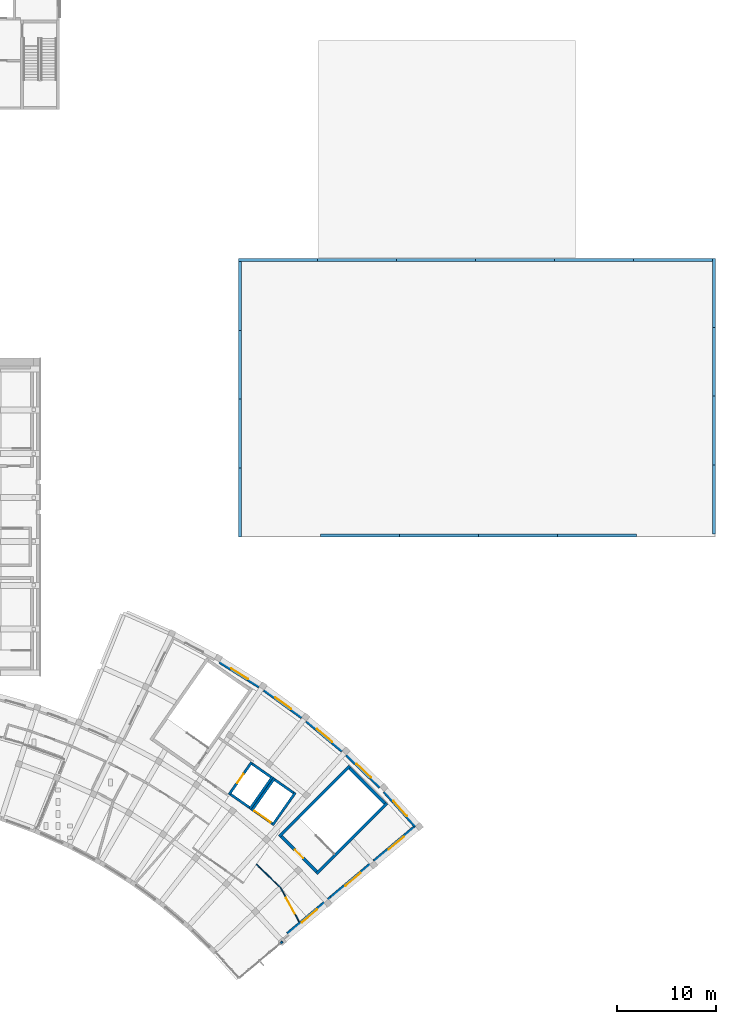
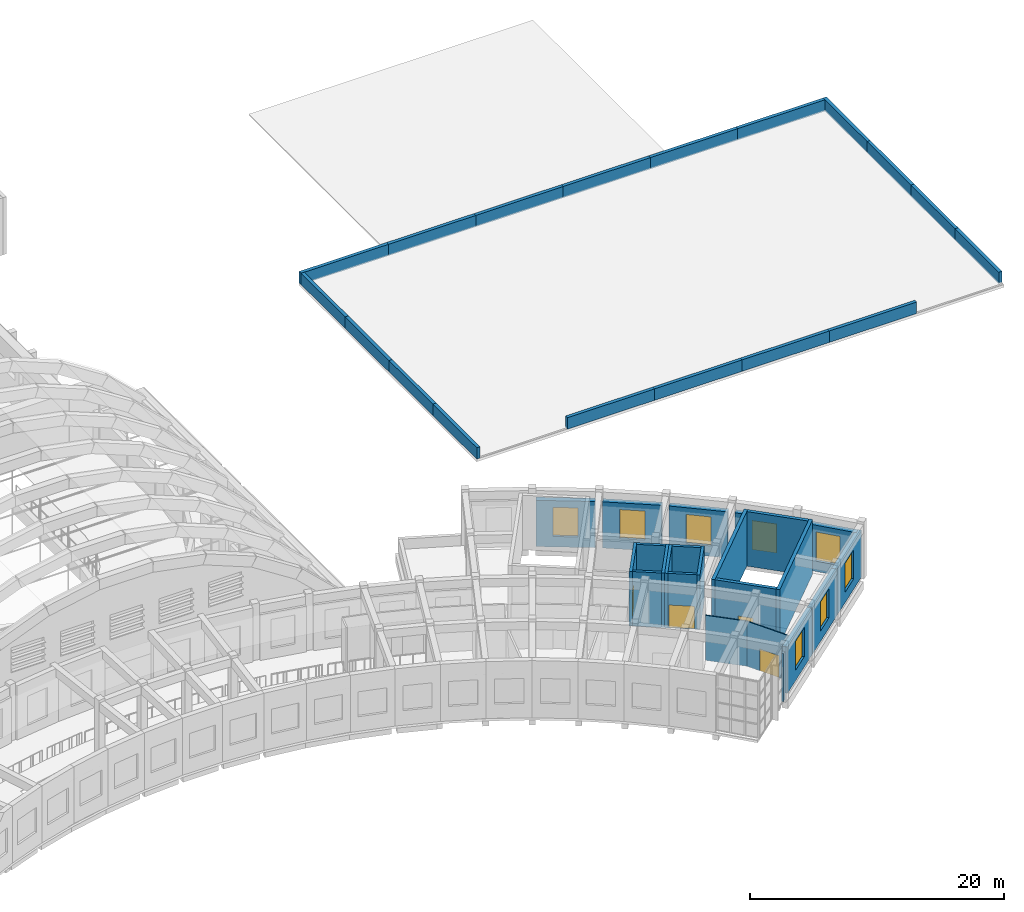
# One storey, part 69 of 94: 41 walls, 8 windows, 4 doors, 12 openings.
"""IFC4 building model written with IfcOpenShell, lengths in metres."""

from ifc_helpers import new_model, si_unit, direction, frame, frame_2d, origin, place, context, subcontext, project, spatial, rectangle, extrude, material, layer, layer_set, type_object, element, fill, save


model = new_model("IFC4")

# Units and contexts
model_context = context("Model", 3, precision=1e-05, world=origin(), true_north=direction((0.0, 1.0)))
body_context = subcontext(model_context, "Body", "Model", "MODEL_VIEW")
ifc_project = project(units=[si_unit("LENGTHUNIT", "METRE"), si_unit("AREAUNIT", "SQUARE_METRE"), si_unit("VOLUMEUNIT", "CUBIC_METRE"), si_unit("PLANEANGLEUNIT", "RADIAN"), si_unit("MASSUNIT", "GRAM", prefix="KILO")], contexts=[model_context])

# Site, building, storey
site_placement = place(None, origin())
site = spatial("IfcSite", under=ifc_project, at=site_placement, CompositionType="ELEMENT")
building_placement = place(site_placement, origin())
building = spatial("IfcBuilding", under=site, at=building_placement, Name="Lunette Opera House", CompositionType="ELEMENT")
storey_placement = place(building_placement, frame((0.0, 0.0, 22.5)))
storey = spatial("IfcBuildingStorey", under=building, at=storey_placement, Name="L04", CompositionType="ELEMENT", Elevation=22.5)

# Wall, opening, window
ifc_material_1 = material(Name="Clinker brick", Category="masonry")
ifc_layer_1 = layer(ifc_material_1, 0.449951171875)
ifc_layer_set_1 = layer_set([ifc_layer_1], Name="Clinker brick")
wall_type_1 = type_object("IfcWallType", Name="ARM END WALL 450", PredefinedType="SOLIDWALL", material=ifc_layer_set_1)
wall_1_placement = place(storey_placement, frame((140.97509765625, 38.032958984375, 0.0), z_axis=(0.0, 0.0, 1.0), x_axis=(0.766065006368, 0.642763102565, 0.0)))
wall_1 = element("IfcWall", 1, at=wall_1_placement, inside=storey, type_object=wall_type_1, Name="Arm End Wall 450 EN-E1 L04", PredefinedType="SOLIDWALL", context=body_context, shape_type="SweptSolid", body=[
    extrude(rectangle(XDim=5.700439453125, YDim=0.449951171875, at=frame_2d((2.85009765625, 0.0))), origin(), (0.0, 0.0, 1.0), 4.449951171875),
])
opening_1_placement = place(wall_1_placement, frame((1.85009765625, 0.0, 1.0)))
opening_1 = element("IfcOpeningElement", 2, at=opening_1_placement, cuts=wall_1, Name="Opening FC-N2104", PredefinedType="OPENING", context=body_context, shape_type="SweptSolid", body=[
    extrude(rectangle(XDim=2.0, YDim=2.800048828125, at=frame_2d((1.0, 1.39990234375))), frame((0.0, 0.237060546875, 0.0), z_axis=(0.0, -1.0, 0.0), x_axis=(1.0, 0.0, 0.0)), (0.0, 0.0, 1.0), 0.473876953125),
])
ifc_material_2 = material(Name="Aluminium", Category="aluminium")
window_type = type_object("IfcWindowType", Name="ARM WINDOW 2000 X 2800", PartitioningType="DOUBLE_PANEL_VERTICAL", PredefinedType="WINDOW", material=ifc_material_2)
window_1_placement = place(opening_1_placement, origin())
window_1 = element("IfcWindow", 3, at=window_1_placement, inside=storey, type_object=window_type, Name="Arm Window 2000 X 2800 EN-E1 L04", OverallHeight=2.800048828125, OverallWidth=2.0, PartitioningType="DOUBLE_PANEL_VERTICAL", PredefinedType="WINDOW", context=body_context, shape_type="SweptSolid", body=[
    extrude(rectangle(XDim=2.0, YDim=2.800048828125, at=frame_2d((1.0, 1.39990234375))), frame((0.0, 0.030029296875, 0.0), z_axis=(0.0, -1.0, 0.0), x_axis=(1.0, 0.0, 0.0)), (0.0, 0.0, 1.0), 0.06005859375),
])
fill(opening_1, window_1)

wall_2_placement = place(storey_placement, frame((145.342041015625, 41.697021484375, 0.0), z_axis=(0.0, 0.0, 1.0), x_axis=(0.766078586631, 0.642746916838, 0.0)))
wall_2 = element("IfcWall", 4, at=wall_2_placement, inside=storey, type_object=wall_type_1, Name="Arm End Wall 450 EN-E2 L04", PredefinedType="SOLIDWALL", context=body_context, shape_type="SweptSolid", body=[
    extrude(rectangle(XDim=5.69921875, YDim=0.449951171875, at=frame_2d((2.849609375, 0.0))), origin(), (0.0, 0.0, 1.0), 4.449951171875),
])
opening_2_placement = place(wall_2_placement, frame((1.85009765625, 0.0, 1.0)))
opening_2 = element("IfcOpeningElement", 5, at=opening_2_placement, cuts=wall_2, Name="Opening FC-N2105", PredefinedType="OPENING", context=body_context, shape_type="SweptSolid", body=[
    extrude(rectangle(XDim=2.0, YDim=2.800048828125, at=frame_2d((1.0, 1.39990234375))), frame((0.0, 0.237060546875, 0.0), z_axis=(0.0, -1.0, 0.0), x_axis=(1.0, 0.0, 0.0)), (0.0, 0.0, 1.0), 0.473876953125),
])
window_2_placement = place(opening_2_placement, origin())
window_2 = element("IfcWindow", 6, at=window_2_placement, inside=storey, type_object=window_type, Name="Arm Window 2000 X 2800 EN-E2 L04", OverallHeight=2.800048828125, OverallWidth=2.0, PartitioningType="DOUBLE_PANEL_VERTICAL", PredefinedType="WINDOW", context=body_context, shape_type="SweptSolid", body=[
    extrude(rectangle(XDim=2.0, YDim=2.800048828125, at=frame_2d((1.0, 1.39990234375))), frame((0.0, 0.030029296875, 0.0), z_axis=(0.0, -1.0, 0.0), x_axis=(1.0, 0.0, 0.0)), (0.0, 0.0, 1.0), 0.06005859375),
])
fill(opening_2, window_2)

wall_3_placement = place(storey_placement, frame((149.7080078125, 45.360107421875, 0.0), z_axis=(0.0, 0.0, 1.0), x_axis=(0.766086094987, 0.642737967657, 0.0)))
wall_3 = element("IfcWall", 7, at=wall_3_placement, inside=storey, type_object=wall_type_1, Name="Arm End Wall 450 EN-E3 L04", PredefinedType="SOLIDWALL", context=body_context, shape_type="SweptSolid", body=[
    extrude(rectangle(XDim=5.700439453125, YDim=0.449951171875, at=frame_2d((2.85009765625, 0.0))), origin(), (0.0, 0.0, 1.0), 4.449951171875),
])
opening_3_placement = place(wall_3_placement, frame((1.85009765625, 0.0, 1.0)))
opening_3 = element("IfcOpeningElement", 8, at=opening_3_placement, cuts=wall_3, Name="Opening FC-N2106", PredefinedType="OPENING", context=body_context, shape_type="SweptSolid", body=[
    extrude(rectangle(XDim=2.0, YDim=2.800048828125, at=frame_2d((1.0, 1.39990234375))), frame((0.0, 0.237060546875, 0.0), z_axis=(0.0, -1.0, 0.0), x_axis=(1.0, 0.0, 0.0)), (0.0, 0.0, 1.0), 0.473876953125),
])
window_3_placement = place(opening_3_placement, origin())
window_3 = element("IfcWindow", 9, at=window_3_placement, inside=storey, type_object=window_type, Name="Arm Window 2000 X 2800 EN-E3 L04", OverallHeight=2.800048828125, OverallWidth=2.0, PartitioningType="DOUBLE_PANEL_VERTICAL", PredefinedType="WINDOW", context=body_context, shape_type="SweptSolid", body=[
    extrude(rectangle(XDim=2.0, YDim=2.800048828125, at=frame_2d((1.0, 1.39990234375))), frame((0.0, 0.030029296875, 0.0), z_axis=(0.0, -1.0, 0.0), x_axis=(1.0, 0.0, 0.0)), (0.0, 0.0, 1.0), 0.06005859375),
])
fill(opening_3, window_3)

ifc_material_3 = material(Name="Clinker brick", Category="masonry")
ifc_layer_2 = layer(ifc_material_3, 0.449951171875)
ifc_layer_set_2 = layer_set([ifc_layer_2], Name="Clinker brick")
wall_type_2 = type_object("IfcWallType", Name="ARM RAIN SCREEN WALL 450", PredefinedType="SOLIDWALL", material=ifc_layer_set_2)
wall_4_placement = place(storey_placement, frame((134.14208984375, 65.464111328125, 0.0), z_axis=(0.0, 0.0, 1.0), x_axis=(0.84803632456, -0.529938102259, 0.0)))
wall_4 = element("IfcWall", 10, at=wall_4_placement, inside=storey, type_object=wall_type_2, Name="Arm Rain Screen Wall 450 BW-CE04 L04", PredefinedType="SOLIDWALL", context=body_context, shape_type="SweptSolid", body=[
    extrude(rectangle(XDim=4.689453125, YDim=0.449951171875, at=frame_2d((2.3447265625, 0.0))), origin(), (0.0, 0.0, 1.0), 4.449951171875),
])
opening_4_placement = place(wall_4_placement, frame((1.343994140625, 0.0, 1.0)))
opening_4 = element("IfcOpeningElement", 11, at=opening_4_placement, cuts=wall_4, Name="Opening FC-N2157", PredefinedType="OPENING", context=body_context, shape_type="SweptSolid", body=[
    extrude(rectangle(XDim=2.0, YDim=2.800048828125, at=frame_2d((1.0, 1.39990234375))), frame((0.0, 0.237060546875, 0.0), z_axis=(0.0, -1.0, 0.0), x_axis=(1.0, 0.0, 0.0)), (0.0, 0.0, 1.0), 0.473876953125),
])
window_4_placement = place(opening_4_placement, origin())
window_4 = element("IfcWindow", 12, at=window_4_placement, inside=storey, type_object=window_type, Name="Arm Window 2000 X 2800 BW-CE04 L04", OverallHeight=2.800048828125, OverallWidth=2.0, PartitioningType="DOUBLE_PANEL_VERTICAL", PredefinedType="WINDOW", context=body_context, shape_type="SweptSolid", body=[
    extrude(rectangle(XDim=2.0, YDim=2.800048828125, at=frame_2d((1.0, 1.39990234375))), frame((0.0, 0.030029296875, 0.0), z_axis=(0.0, -1.0, 0.0), x_axis=(1.0, 0.0, 0.0)), (0.0, 0.0, 1.0), 0.06005859375),
])
fill(opening_4, window_4)

wall_5_placement = place(storey_placement, frame((138.615966796875, 62.64404296875, 0.0), z_axis=(0.0, 0.0, 1.0), x_axis=(0.808981453193, -0.587834167423, 0.0)))
wall_5 = element("IfcWall", 13, at=wall_5_placement, inside=storey, type_object=wall_type_2, Name="Arm Rain Screen Wall 450 BW-CE05 L04", PredefinedType="SOLIDWALL", context=body_context, shape_type="SweptSolid", body=[
    extrude(rectangle(XDim=4.6884765625, YDim=0.449951171875, at=frame_2d((2.34423828125, 0.0))), origin(), (0.0, 0.0, 1.0), 4.449951171875),
])
opening_5_placement = place(wall_5_placement, frame((1.343994140625, 0.0, 1.0)))
opening_5 = element("IfcOpeningElement", 14, at=opening_5_placement, cuts=wall_5, Name="Opening FC-N2162", PredefinedType="OPENING", context=body_context, shape_type="SweptSolid", body=[
    extrude(rectangle(XDim=2.0, YDim=2.800048828125, at=frame_2d((1.0, 1.39990234375))), frame((0.0, 0.237060546875, 0.0), z_axis=(0.0, -1.0, 0.0), x_axis=(1.0, 0.0, 0.0)), (0.0, 0.0, 1.0), 0.473876953125),
])
window_5_placement = place(opening_5_placement, origin())
window_5 = element("IfcWindow", 15, at=window_5_placement, inside=storey, type_object=window_type, Name="Arm Window 2000 X 2800 BW-CE05 L04", OverallHeight=2.800048828125, OverallWidth=2.0, PartitioningType="DOUBLE_PANEL_VERTICAL", PredefinedType="WINDOW", context=body_context, shape_type="SweptSolid", body=[
    extrude(rectangle(XDim=2.0, YDim=2.800048828125, at=frame_2d((1.0, 1.39990234375))), frame((0.0, 0.030029296875, 0.0), z_axis=(0.0, -1.0, 0.0), x_axis=(1.0, 0.0, 0.0)), (0.0, 0.0, 1.0), 0.06005859375),
])
fill(opening_5, window_5)

wall_6_placement = place(storey_placement, frame((142.882080078125, 59.51904296875, 0.0), z_axis=(0.0, 0.0, 1.0), x_axis=(0.765928460401, -0.642925807187, 0.0)))
wall_6 = element("IfcWall", 16, at=wall_6_placement, inside=storey, type_object=wall_type_2, Name="Arm Rain Screen Wall 450 BW-CE06 L04", PredefinedType="SOLIDWALL", context=body_context, shape_type="SweptSolid", body=[
    extrude(rectangle(XDim=4.688232421875, YDim=0.449951171875, at=frame_2d((2.34423828125, 0.0))), origin(), (0.0, 0.0, 1.0), 4.449951171875),
])
opening_6_placement = place(wall_6_placement, frame((1.343994140625, 0.0, 1.0)))
opening_6 = element("IfcOpeningElement", 17, at=opening_6_placement, cuts=wall_6, Name="Opening FC-N2167", PredefinedType="OPENING", context=body_context, shape_type="SweptSolid", body=[
    extrude(rectangle(XDim=2.0, YDim=2.800048828125, at=frame_2d((1.0, 1.39990234375))), frame((0.0, 0.237060546875, 0.0), z_axis=(0.0, -1.0, 0.0), x_axis=(1.0, 0.0, 0.0)), (0.0, 0.0, 1.0), 0.473876953125),
])
window_6_placement = place(opening_6_placement, origin())
window_6 = element("IfcWindow", 18, at=window_6_placement, inside=storey, type_object=window_type, Name="Arm Window 2000 X 2800 BW-CE06 L04", OverallHeight=2.800048828125, OverallWidth=2.0, PartitioningType="DOUBLE_PANEL_VERTICAL", PredefinedType="WINDOW", context=body_context, shape_type="SweptSolid", body=[
    extrude(rectangle(XDim=2.0, YDim=2.800048828125, at=frame_2d((1.0, 1.39990234375))), frame((0.0, 0.030029296875, 0.0), z_axis=(0.0, -1.0, 0.0), x_axis=(1.0, 0.0, 0.0)), (0.0, 0.0, 1.0), 0.06005859375),
])
fill(opening_6, window_6)

wall_7_placement = place(storey_placement, frame((146.9189453125, 56.10400390625, 0.0), z_axis=(0.0, 0.0, 1.0), x_axis=(0.719260611584, -0.694740363462, 0.0)))
wall_7 = element("IfcWall", 19, at=wall_7_placement, inside=storey, type_object=wall_type_2, Name="Arm Rain Screen Wall 450 BW-CE07 L04", PredefinedType="SOLIDWALL", context=body_context, shape_type="SweptSolid", body=[
    extrude(rectangle(XDim=4.689697265625, YDim=0.449951171875, at=frame_2d((2.3447265625, 0.0))), origin(), (0.0, 0.0, 1.0), 4.449951171875),
])
opening_7_placement = place(wall_7_placement, frame((1.344970703125, 0.0, 1.0)))
opening_7 = element("IfcOpeningElement", 20, at=opening_7_placement, cuts=wall_7, Name="Opening FC-N2171", PredefinedType="OPENING", context=body_context, shape_type="SweptSolid", body=[
    extrude(rectangle(XDim=2.0, YDim=2.800048828125, at=frame_2d((1.0, 1.39990234375))), frame((0.0, 0.237060546875, 0.0), z_axis=(0.0, -1.0, 0.0), x_axis=(1.0, 0.0, 0.0)), (0.0, 0.0, 1.0), 0.473876953125),
])
window_7_placement = place(opening_7_placement, origin())
window_7 = element("IfcWindow", 21, at=window_7_placement, inside=storey, type_object=window_type, Name="Arm Window 2000 X 2800 BW-CE07 L04", OverallHeight=2.800048828125, OverallWidth=2.0, PartitioningType="DOUBLE_PANEL_VERTICAL", PredefinedType="WINDOW", context=body_context, shape_type="SweptSolid", body=[
    extrude(rectangle(XDim=2.0, YDim=2.800048828125, at=frame_2d((1.0, 1.39990234375))), frame((0.0, 0.030029296875, 0.0), z_axis=(0.0, -1.0, 0.0), x_axis=(1.0, 0.0, 0.0)), (0.0, 0.0, 1.0), 0.06005859375),
])
fill(opening_7, window_7)

wall_8_placement = place(storey_placement, frame((150.708984375, 52.4150390625, 0.0), z_axis=(0.0, 0.0, 1.0), x_axis=(0.669007879878, -0.74325531055, 0.0)))
wall_8 = element("IfcWall", 22, at=wall_8_placement, inside=storey, type_object=wall_type_2, Name="Arm Rain Screen Wall 450 BW-CE08 L04", PredefinedType="SOLIDWALL", context=body_context, shape_type="SweptSolid", body=[
    extrude(rectangle(XDim=4.68896484375, YDim=0.449951171875, at=frame_2d((2.344482421875, 0.0))), origin(), (0.0, 0.0, 1.0), 4.449951171875),
])
opening_8_placement = place(wall_8_placement, frame((1.344970703125, 0.0, 1.0)))
opening_8 = element("IfcOpeningElement", 23, at=opening_8_placement, cuts=wall_8, Name="Opening FC-N2176", PredefinedType="OPENING", context=body_context, shape_type="SweptSolid", body=[
    extrude(rectangle(XDim=2.0, YDim=2.800048828125, at=frame_2d((1.0, 1.39990234375))), frame((0.0, 0.237060546875, 0.0), z_axis=(0.0, -1.0, 0.0), x_axis=(1.0, 0.0, 0.0)), (0.0, 0.0, 1.0), 0.473876953125),
])
window_8_placement = place(opening_8_placement, origin())
window_8 = element("IfcWindow", 24, at=window_8_placement, inside=storey, type_object=window_type, Name="Arm Window 2000 X 2800 BW-CE08 L04", OverallHeight=2.800048828125, OverallWidth=2.0, PartitioningType="DOUBLE_PANEL_VERTICAL", PredefinedType="WINDOW", context=body_context, shape_type="SweptSolid", body=[
    extrude(rectangle(XDim=2.0, YDim=2.800048828125, at=frame_2d((1.0, 1.39990234375))), frame((0.0, 0.030029296875, 0.0), z_axis=(0.0, -1.0, 0.0), x_axis=(1.0, 0.0, 0.0)), (0.0, 0.0, 1.0), 0.06005859375),
])
fill(opening_8, window_8)

# Walls
ifc_material_4 = material(Name="Insulated aluminium sandwich panel", Category="aluminium")
ifc_layer_3 = layer(ifc_material_4, 0.179931640625)
ifc_layer_set_3 = layer_set([ifc_layer_3], Name="Insulated aluminium sandwich panel")
wall_type_3 = type_object("IfcWallType", Name="CURTAIN WALL INFILL 180", PredefinedType="SOLIDWALL", material=ifc_layer_set_3)
wall_9_placement = place(storey_placement, frame((140.199951171875, 37.089111328125, 0.0), z_axis=(0.0, 0.0, 1.0), x_axis=(0.767105498424, 0.641520969485, 0.0)))
element("IfcWall", 25, at=wall_9_placement, inside=storey, type_object=wall_type_3, Name="Curtain Wall Infill 180 IN12 L04", PredefinedType="SOLIDWALL", context=body_context, shape_type="SweptSolid", body=[
    extrude(rectangle(XDim=0.30517578125, YDim=0.179931640625, at=frame_2d((0.152587890625, 0.0))), origin(), (0.0, 0.0, 1.0), 4.64990234375),
])
ifc_material_5 = material(Name="Concrete C35/45", Category="concrete")
ifc_layer_4 = layer(ifc_material_5, 0.25)
ifc_layer_set_4 = layer_set([ifc_layer_4], Name="Concrete C35/45")
wall_type_4 = type_object("IfcWallType", Name="RC LIFT SHAFT WALL 250", PredefinedType="SOLIDWALL", material=ifc_layer_set_4)
wall_10_placement = place(storey_placement, frame((135.22509765625, 52.097900390625, 0.0), z_axis=(0.0, 0.0, 1.0), x_axis=(0.819366508838, -0.573270027295, 0.0)))
element("IfcWall", 26, at=wall_10_placement, inside=storey, type_object=wall_type_4, Name="FL1 shaft wall 1", PredefinedType="SOLIDWALL", context=body_context, shape_type="SweptSolid", body=[
    extrude(rectangle(XDim=2.300537109375, YDim=0.25, at=frame_2d((1.150390625, 0.0))), origin(), (0.0, 0.0, 1.0), 5.25),
])
wall_11_placement = place(storey_placement, frame((137.14111328125, 50.60498046875, 0.0), z_axis=(0.0, 0.0, 1.0), x_axis=(0.573572956461, 0.819154480923, 0.0)))
element("IfcWall", 27, at=wall_11_placement, inside=storey, type_object=wall_type_4, Name="FL1 shaft wall 2", PredefinedType="SOLIDWALL", context=body_context, shape_type="SweptSolid", body=[
    extrude(rectangle(XDim=3.99951171875, YDim=0.25, at=frame_2d((1.999755859375, 0.0))), origin(), (0.0, 0.0, 1.0), 5.25),
])
wall_12_placement = place(storey_placement, frame((139.260986328125, 53.85009765625, 0.0), z_axis=(0.0, 0.0, 1.0), x_axis=(-0.819226933165, 0.573469469089, 0.0)))
element("IfcWall", 28, at=wall_12_placement, inside=storey, type_object=wall_type_4, Name="FL1 shaft wall 3", PredefinedType="SOLIDWALL", context=body_context, shape_type="SweptSolid", body=[
    extrude(rectangle(XDim=2.2998046875, YDim=0.25, at=frame_2d((1.14990234375, 0.0))), origin(), (0.0, 0.0, 1.0), 5.25),
])

# Wall, opening, door
wall_13_placement = place(storey_placement, frame((137.345947265625, 55.343017578125, 0.0), z_axis=(0.0, 0.0, 1.0), x_axis=(-0.573736768582, -0.819039755065, 0.0)))
wall_13 = element("IfcWall", 29, at=wall_13_placement, inside=storey, type_object=wall_type_4, Name="FL1 shaft wall 4", PredefinedType="SOLIDWALL", context=body_context, shape_type="SweptSolid", body=[
    extrude(rectangle(XDim=4.0, YDim=0.25, at=frame_2d((2.0, 0.0))), origin(), (0.0, 0.0, 1.0), 5.25),
])
opening_9_placement = place(wall_13_placement, frame((1.449951171875, 0.0, 0.0)))
opening_9 = element("IfcOpeningElement", 30, at=opening_9_placement, cuts=wall_13, Name="Opening FC-LD006", PredefinedType="OPENING", context=body_context, shape_type="SweptSolid", body=[
    extrude(rectangle(XDim=1.10009765625, YDim=2.10009765625, at=frame_2d((0.550048828125, 1.050048828125))), frame((0.0, 0.136962890625, 0.0), z_axis=(0.0, -1.0, 0.0), x_axis=(1.0, 0.0, 0.0)), (0.0, 0.0, 1.0), 0.27392578125),
])
ifc_material_6 = material(Name="Stainless steel", Category="steel")
door_type_1 = type_object("IfcDoorType", Name="LIFT LANDING DOOR 1100 X 2100", OperationType="DOUBLE_DOOR_SLIDING", PredefinedType="DOOR", material=ifc_material_6)
door_1_placement = place(opening_9_placement, origin())
door_1 = element("IfcDoor", 31, at=door_1_placement, inside=storey, type_object=door_type_1, Name="FL1 lift landing door", OperationType="DOUBLE_DOOR_SLIDING", OverallHeight=2.10009765625, OverallWidth=1.10009765625, PredefinedType="DOOR", context=body_context, shape_type="SweptSolid", body=[
    extrude(rectangle(XDim=1.10009765625, YDim=2.10009765625, at=frame_2d((0.550048828125, 1.050048828125))), frame((0.0, 0.02490234375, 0.0), z_axis=(0.0, -1.0, 0.0), x_axis=(1.0, 0.0, 0.0)), (0.0, 0.0, 1.0), 0.050048828125),
])
fill(opening_9, door_1)

wall_14_placement = place(storey_placement, frame((137.51904296875, 50.491943359375, 0.0), z_axis=(0.0, 0.0, 1.0), x_axis=(0.819366508838, -0.573270027295, 0.0)))
wall_14 = element("IfcWall", 32, at=wall_14_placement, inside=storey, type_object=wall_type_4, Name="LF2 shaft wall 1", PredefinedType="SOLIDWALL", context=body_context, shape_type="SweptSolid", body=[
    extrude(rectangle(XDim=2.300537109375, YDim=0.25, at=frame_2d((1.150390625, 0.0))), origin(), (0.0, 0.0, 1.0), 5.25),
])
opening_10_placement = place(wall_14_placement, frame((0.10009765625, 0.0, 0.0)))
opening_10 = element("IfcOpeningElement", 33, at=opening_10_placement, cuts=wall_14, Name="Opening FC-LD024", PredefinedType="OPENING", context=body_context, shape_type="SweptSolid", body=[
    extrude(rectangle(XDim=2.0, YDim=2.199951171875, at=frame_2d((1.0, 1.10009765625))), frame((0.0, 0.136962890625, 0.0), z_axis=(0.0, -1.0, 0.0), x_axis=(1.0, 0.0, 0.0)), (0.0, 0.0, 1.0), 0.27392578125),
])
ifc_material_7 = material(Name="Stainless steel", Category="steel")
door_type_2 = type_object("IfcDoorType", Name="LIFT LANDING DOOR 2000 X 2200", OperationType="DOUBLE_DOOR_SLIDING", PredefinedType="DOOR", material=ifc_material_7)
door_2_placement = place(opening_10_placement, origin())
door_2 = element("IfcDoor", 34, at=door_2_placement, inside=storey, type_object=door_type_2, Name="LF2 lift landing door", OperationType="DOUBLE_DOOR_SLIDING", OverallHeight=2.199951171875, OverallWidth=2.0, PredefinedType="DOOR", context=body_context, shape_type="SweptSolid", body=[
    extrude(rectangle(XDim=2.0, YDim=2.199951171875, at=frame_2d((1.0, 1.10009765625))), frame((0.0, 0.02490234375, 0.0), z_axis=(0.0, -1.0, 0.0), x_axis=(1.0, 0.0, 0.0)), (0.0, 0.0, 1.0), 0.050048828125),
])
fill(opening_10, door_2)

# Walls
wall_15_placement = place(storey_placement, frame((139.43505859375, 48.9990234375, 0.0), z_axis=(0.0, 0.0, 1.0), x_axis=(0.57360163893, 0.819134396675, 0.0)))
element("IfcWall", 35, at=wall_15_placement, inside=storey, type_object=wall_type_4, Name="LF2 shaft wall 2", PredefinedType="SOLIDWALL", context=body_context, shape_type="SweptSolid", body=[
    extrude(rectangle(XDim=3.999267578125, YDim=0.25, at=frame_2d((1.99951171875, 0.0))), origin(), (0.0, 0.0, 1.0), 5.25),
])
wall_16_placement = place(storey_placement, frame((141.554931640625, 52.243896484375, 0.0), z_axis=(0.0, 0.0, 1.0), x_axis=(-0.819316661421, 0.57334126689, 0.0)))
element("IfcWall", 36, at=wall_16_placement, inside=storey, type_object=wall_type_4, Name="LF2 shaft wall 3", PredefinedType="SOLIDWALL", context=body_context, shape_type="SweptSolid", body=[
    extrude(rectangle(XDim=2.30078125, YDim=0.25, at=frame_2d((1.150390625, 0.0))), origin(), (0.0, 0.0, 1.0), 5.25),
])
wall_17_placement = place(storey_placement, frame((139.638916015625, 53.737060546875, 0.0), z_axis=(0.0, 0.0, 1.0), x_axis=(-0.573572956461, -0.819154480923, 0.0)))
element("IfcWall", 37, at=wall_17_placement, inside=storey, type_object=wall_type_4, Name="LF2 shaft wall 4", PredefinedType="SOLIDWALL", context=body_context, shape_type="SweptSolid", body=[
    extrude(rectangle(XDim=3.99951171875, YDim=0.25, at=frame_2d((1.999755859375, 0.0))), origin(), (0.0, 0.0, 1.0), 5.25),
])

# Wall, opening, door
ifc_material_8 = material(Name="Concrete C35/45", Category="concrete")
ifc_layer_5 = layer(ifc_material_8, 0.300048828125)
ifc_layer_set_5 = layer_set([ifc_layer_5], Name="Concrete C35/45")
wall_type_5 = type_object("IfcWallType", Name="RC STAIR ENCLOSURE WALL 300", PredefinedType="SOLIDWALL", material=ifc_layer_set_5)
wall_18_placement = place(storey_placement, frame((140.3349609375, 47.87109375, 0.0), z_axis=(0.0, 0.0, 1.0), x_axis=(0.707106781187, -0.707106781187, 0.0)))
wall_18 = element("IfcWall", 38, at=wall_18_placement, inside=storey, type_object=wall_type_5, Name="ST4 enclosure wall 1", PredefinedType="SOLIDWALL", context=body_context, shape_type="SweptSolid", body=[
    extrude(rectangle(XDim=5.000732421875, YDim=0.300048828125, at=frame_2d((2.50048828125, 0.0))), origin(), (0.0, 0.0, 1.0), 5.25),
])
opening_11_placement = place(wall_18_placement, frame((1.89990234375, 0.0, 0.0)))
opening_11 = element("IfcOpeningElement", 39, at=opening_11_placement, cuts=wall_18, Name="Opening FC-D7030", PredefinedType="OPENING", context=body_context, shape_type="SweptSolid", body=[
    extrude(rectangle(XDim=1.199951171875, YDim=2.10009765625, at=frame_2d((0.60009765625, 1.050048828125))), frame((0.0, 0.162109375, 0.0), z_axis=(0.0, -1.0, 0.0), x_axis=(1.0, 0.0, 0.0)), (0.0, 0.0, 1.0), 0.323974609375),
])
ifc_material_9 = material(Name="Steel", Category="steel")
door_type_3 = type_object("IfcDoorType", Name="FIRE DOOR 1200 X 2100", OperationType="SINGLE_SWING_LEFT", PredefinedType="DOOR", material=ifc_material_9)
door_3_placement = place(opening_11_placement, origin())
door_3 = element("IfcDoor", 40, at=door_3_placement, inside=storey, type_object=door_type_3, Name="ST4 stair door", OperationType="SINGLE_SWING_LEFT", OverallHeight=2.10009765625, OverallWidth=1.199951171875, PredefinedType="DOOR", context=body_context, shape_type="SweptSolid", body=[
    extrude(rectangle(XDim=1.199951171875, YDim=2.10009765625, at=frame_2d((0.60009765625, 1.050048828125))), frame((0.0, 0.02490234375, 0.0), z_axis=(0.0, -1.0, 0.0), x_axis=(1.0, 0.0, 0.0)), (0.0, 0.0, 1.0), 0.050048828125),
])
fill(opening_11, door_3)

# Walls
wall_19_placement = place(storey_placement, frame((143.87109375, 44.123046875, 0.0), z_axis=(0.0, 0.0, 1.0), x_axis=(0.7070945738, 0.707118988363, 0.0)))
element("IfcWall", 41, at=wall_19_placement, inside=storey, type_object=wall_type_5, Name="ST4 enclosure wall 2", PredefinedType="SOLIDWALL", context=body_context, shape_type="SweptSolid", body=[
    extrude(rectangle(XDim=9.999755859375, YDim=0.300048828125, at=frame_2d((5.0, 0.0))), origin(), (0.0, 0.0, 1.0), 5.25),
])
wall_20_placement = place(storey_placement, frame((150.72998046875, 51.194091796875, 0.0), z_axis=(0.0, 0.0, 1.0), x_axis=(-0.707106781187, 0.707106781187, 0.0)))
element("IfcWall", 42, at=wall_20_placement, inside=storey, type_object=wall_type_5, Name="ST4 enclosure wall 3", PredefinedType="SOLIDWALL", context=body_context, shape_type="SweptSolid", body=[
    extrude(rectangle(XDim=5.00048828125, YDim=0.300048828125, at=frame_2d((2.500244140625, 0.0))), origin(), (0.0, 0.0, 1.0), 5.25),
])
wall_21_placement = place(storey_placement, frame((147.194091796875, 54.94189453125, 0.0), z_axis=(0.0, 0.0, 1.0), x_axis=(-0.707118988363, -0.7070945738, 0.0)))
element("IfcWall", 43, at=wall_21_placement, inside=storey, type_object=wall_type_5, Name="ST4 enclosure wall 4", PredefinedType="SOLIDWALL", context=body_context, shape_type="SweptSolid", body=[
    extrude(rectangle(XDim=9.999755859375, YDim=0.300048828125, at=frame_2d((5.0, 0.0))), origin(), (0.0, 0.0, 1.0), 5.25),
])
ifc_material_10 = material(Name="Clinker brick", Category="masonry")
ifc_layer_6 = layer(ifc_material_10, 0.300048828125)
ifc_layer_set_6 = layer_set([ifc_layer_6], Name="Clinker brick")
wall_type_6 = type_object("IfcWallType", Name="ROOF PARAPET WALL 300", PredefinedType="PARAPET", material=ifc_layer_set_6)
for number, where, z_axis, x_axis, name in (
    (44, (183.699951171875, 105.85009765625, 0.0), (0.0, 0.0, 1.0), (-1.0, 0.0, 0.0), "Roof Parapet Wall 300 PA-L03-01 L04"),
    (45, (175.75, 105.85009765625, 0.0), (0.0, 0.0, 1.0), (-1.0, 0.0, 0.0), "Roof Parapet Wall 300 PA-L03-02 L04"),
    (46, (167.800048828125, 105.85009765625, 0.0), (0.0, 0.0, 1.0), (-1.0, 0.0, 0.0), "Roof Parapet Wall 300 PA-L03-03 L04"),
):
    element("IfcWall", number, at=place(storey_placement, frame(where, z_axis=z_axis, x_axis=x_axis)), inside=storey, type_object=wall_type_6, Name=name, PredefinedType="PARAPET", context=body_context, shape_type="SweptSolid", body=[
        extrude(rectangle(XDim=7.949951171875, YDim=0.300048828125, at=frame_2d((3.97509765625, 0.0))), origin(), (0.0, 0.0, 1.0), 1.10009765625),
    ])
wall_22_placement = place(storey_placement, frame((159.85009765625, 105.85009765625, 0.0), z_axis=(0.0, 0.0, 1.0), x_axis=(-1.0, 0.0, 0.0)))
element("IfcWall", 47, at=wall_22_placement, inside=storey, type_object=wall_type_6, Name="Roof Parapet Wall 300 PA-L03-04 L04", PredefinedType="PARAPET", context=body_context, shape_type="SweptSolid", body=[
    extrude(rectangle(XDim=7.9501953125, YDim=0.300048828125, at=frame_2d((3.97509765625, 0.0))), origin(), (0.0, 0.0, 1.0), 1.10009765625),
])
for number, where, z_axis, x_axis, name in (
    (48, (151.89990234375, 105.85009765625, 0.0), (0.0, 0.0, 1.0), (-1.0, 0.0, 0.0), "Roof Parapet Wall 300 PA-L03-05 L04"),
    (49, (143.949951171875, 105.85009765625, 0.0), (0.0, 0.0, 1.0), (-1.0, 0.0, 0.0), "Roof Parapet Wall 300 PA-L03-06 L04"),
):
    element("IfcWall", number, at=place(storey_placement, frame(where, z_axis=z_axis, x_axis=x_axis)), inside=storey, type_object=wall_type_6, Name=name, PredefinedType="PARAPET", context=body_context, shape_type="SweptSolid", body=[
        extrude(rectangle(XDim=7.949951171875, YDim=0.300048828125, at=frame_2d((3.97509765625, 0.0))), origin(), (0.0, 0.0, 1.0), 1.10009765625),
    ])
wall_23_placement = place(storey_placement, frame((136.14990234375, 105.699951171875, 0.0), z_axis=(0.0, 0.0, 1.0), x_axis=(0.0, -1.0, 0.0)))
element("IfcWall", 50, at=wall_23_placement, inside=storey, type_object=wall_type_6, Name="Roof Parapet Wall 300 PA-L03-07 L04", PredefinedType="PARAPET", context=body_context, shape_type="SweptSolid", body=[
    extrude(rectangle(XDim=6.925048828125, YDim=0.300048828125, at=frame_2d((3.46240234375, 0.0))), origin(), (0.0, 0.0, 1.0), 1.10009765625),
])
wall_24_placement = place(storey_placement, frame((136.14990234375, 98.77490234375, 0.0), z_axis=(0.0, 0.0, 1.0), x_axis=(0.0, -1.0, 0.0)))
element("IfcWall", 51, at=wall_24_placement, inside=storey, type_object=wall_type_6, Name="Roof Parapet Wall 300 PA-L03-08 L04", PredefinedType="PARAPET", context=body_context, shape_type="SweptSolid", body=[
    extrude(rectangle(XDim=6.9248046875, YDim=0.300048828125, at=frame_2d((3.46240234375, 0.0))), origin(), (0.0, 0.0, 1.0), 1.10009765625),
])
for number, where, z_axis, x_axis, name in (
    (52, (136.14990234375, 91.85009765625, 0.0), (0.0, 0.0, 1.0), (0.0, -1.0, 0.0), "Roof Parapet Wall 300 PA-L03-09 L04"),
    (53, (136.14990234375, 84.925048828125, 0.0), (0.0, 0.0, 1.0), (0.0, -1.0, 0.0), "Roof Parapet Wall 300 PA-L03-10 L04"),
):
    element("IfcWall", number, at=place(storey_placement, frame(where, z_axis=z_axis, x_axis=x_axis)), inside=storey, type_object=wall_type_6, Name=name, PredefinedType="PARAPET", context=body_context, shape_type="SweptSolid", body=[
        extrude(rectangle(XDim=6.925048828125, YDim=0.300048828125, at=frame_2d((3.46240234375, 0.0))), origin(), (0.0, 0.0, 1.0), 1.10009765625),
    ])
for number, where, z_axis, x_axis, name in (
    (54, (144.25, 78.14990234375, 0.0), (0.0, 0.0, 1.0), (1.0, 0.0, 0.0), "Roof Parapet Wall 300 PA-L03-12 L04"),
    (55, (152.199951171875, 78.14990234375, 0.0), (0.0, 0.0, 1.0), (1.0, 0.0, 0.0), "Roof Parapet Wall 300 PA-L03-13 L04"),
):
    element("IfcWall", number, at=place(storey_placement, frame(where, z_axis=z_axis, x_axis=x_axis)), inside=storey, type_object=wall_type_6, Name=name, PredefinedType="PARAPET", context=body_context, shape_type="SweptSolid", body=[
        extrude(rectangle(XDim=7.949951171875, YDim=0.300048828125, at=frame_2d((3.97509765625, 0.0))), origin(), (0.0, 0.0, 1.0), 1.10009765625),
    ])
wall_25_placement = place(storey_placement, frame((160.14990234375, 78.14990234375, 0.0), z_axis=(0.0, 0.0, 1.0), x_axis=(1.0, 0.0, 0.0)))
element("IfcWall", 56, at=wall_25_placement, inside=storey, type_object=wall_type_6, Name="Roof Parapet Wall 300 PA-L03-14 L04", PredefinedType="PARAPET", context=body_context, shape_type="SweptSolid", body=[
    extrude(rectangle(XDim=7.9501953125, YDim=0.300048828125, at=frame_2d((3.97509765625, 0.0))), origin(), (0.0, 0.0, 1.0), 1.10009765625),
])
wall_26_placement = place(storey_placement, frame((168.10009765625, 78.14990234375, 0.0), z_axis=(0.0, 0.0, 1.0), x_axis=(1.0, 0.0, 0.0)))
element("IfcWall", 57, at=wall_26_placement, inside=storey, type_object=wall_type_6, Name="Roof Parapet Wall 300 PA-L03-15 L04", PredefinedType="PARAPET", context=body_context, shape_type="SweptSolid", body=[
    extrude(rectangle(XDim=7.949951171875, YDim=0.300048828125, at=frame_2d((3.97509765625, 0.0))), origin(), (0.0, 0.0, 1.0), 1.10009765625),
])
wall_27_placement = place(storey_placement, frame((183.85009765625, 78.300048828125, 0.0), z_axis=(0.0, 0.0, 1.0), x_axis=(0.0, 1.0, 0.0)))
element("IfcWall", 58, at=wall_27_placement, inside=storey, type_object=wall_type_6, Name="Roof Parapet Wall 300 PA-L03-17 L04", PredefinedType="PARAPET", context=body_context, shape_type="SweptSolid", body=[
    extrude(rectangle(XDim=6.925048828125, YDim=0.300048828125, at=frame_2d((3.46240234375, 0.0))), origin(), (0.0, 0.0, 1.0), 1.10009765625),
])
wall_28_placement = place(storey_placement, frame((183.85009765625, 85.22509765625, 0.0), z_axis=(0.0, 0.0, 1.0), x_axis=(0.0, 1.0, 0.0)))
element("IfcWall", 59, at=wall_28_placement, inside=storey, type_object=wall_type_6, Name="Roof Parapet Wall 300 PA-L03-18 L04", PredefinedType="PARAPET", context=body_context, shape_type="SweptSolid", body=[
    extrude(rectangle(XDim=6.9248046875, YDim=0.300048828125, at=frame_2d((3.46240234375, 0.0))), origin(), (0.0, 0.0, 1.0), 1.10009765625),
])
for number, where, z_axis, x_axis, name in (
    (60, (183.85009765625, 92.14990234375, 0.0), (0.0, 0.0, 1.0), (0.0, 1.0, 0.0), "Roof Parapet Wall 300 PA-L03-19 L04"),
    (61, (183.85009765625, 99.074951171875, 0.0), (0.0, 0.0, 1.0), (0.0, 1.0, 0.0), "Roof Parapet Wall 300 PA-L03-20 L04"),
):
    element("IfcWall", number, at=place(storey_placement, frame(where, z_axis=z_axis, x_axis=x_axis)), inside=storey, type_object=wall_type_6, Name=name, PredefinedType="PARAPET", context=body_context, shape_type="SweptSolid", body=[
        extrude(rectangle(XDim=6.925048828125, YDim=0.300048828125, at=frame_2d((3.46240234375, 0.0))), origin(), (0.0, 0.0, 1.0), 1.10009765625),
    ])

# Wall, opening, door
ifc_material_11 = material(Name="Gypsum board on steel studs", Category="steel")
ifc_layer_7 = layer(ifc_material_11, 0.10009765625)
ifc_layer_set_7 = layer_set([ifc_layer_7], Name="Gypsum board on steel studs")
wall_type_7 = type_object("IfcWallType", Name="STUD PARTITION 100", PredefinedType="PARTITIONING", material=ifc_layer_set_7)
wall_29_placement = place(storey_placement, frame((140.239013671875, 42.720947265625, 0.0), z_axis=(0.0, 0.0, 1.0), x_axis=(0.479690824027, -0.877437583731, 0.0)))
wall_29 = element("IfcWall", 62, at=wall_29_placement, inside=storey, type_object=wall_type_7, Name="Partition Restaurant Rear", PredefinedType="PARTITIONING", context=body_context, shape_type="SweptSolid", body=[
    extrude(rectangle(XDim=3.914794921875, YDim=0.10009765625, at=frame_2d((1.95751953125, 0.0))), origin(), (0.0, 0.0, 1.0), 4.35009765625),
])
opening_12_placement = place(wall_29_placement, frame((1.18896484375, 0.0, 0.0)))
opening_12 = element("IfcOpeningElement", 63, at=opening_12_placement, cuts=wall_29, Name="Opening FC-D3045", PredefinedType="OPENING", context=body_context, shape_type="SweptSolid", body=[
    extrude(rectangle(XDim=1.800048828125, YDim=2.10009765625, at=frame_2d((0.89990234375, 1.050048828125))), frame((0.0, 0.06201171875, 0.0), z_axis=(0.0, -1.0, 0.0), x_axis=(1.0, 0.0, 0.0)), (0.0, 0.0, 1.0), 0.1240234375),
])
ifc_material_12 = material(Name="Timber", Category="wood")
door_type_4 = type_object("IfcDoorType", Name="DOUBLE FLUSH DOOR 1800 X 2100", OperationType="DOUBLE_DOOR_SINGLE_SWING", PredefinedType="DOOR", material=ifc_material_12)
door_4_placement = place(opening_12_placement, origin())
door_4 = element("IfcDoor", 64, at=door_4_placement, inside=storey, type_object=door_type_4, Name="Private Dining Room door", OperationType="DOUBLE_DOOR_SINGLE_SWING", OverallHeight=2.10009765625, OverallWidth=1.800048828125, PredefinedType="DOOR", context=body_context, shape_type="SweptSolid", body=[
    extrude(rectangle(XDim=1.800048828125, YDim=2.10009765625, at=frame_2d((0.89990234375, 1.050048828125))), frame((0.0, 0.02490234375, 0.0), z_axis=(0.0, -1.0, 0.0), x_axis=(1.0, 0.0, 0.0)), (0.0, 0.0, 1.0), 0.050048828125),
])
fill(opening_12, door_4)

# Wall
wall_30_placement = place(storey_placement, frame((137.81103515625, 45.06689453125, 0.0), z_axis=(0.0, 0.0, 1.0), x_axis=(0.719150966755, -0.694853860186, 0.0)))
element("IfcWall", 65, at=wall_30_placement, inside=storey, type_object=wall_type_7, Name="Partition Restaurant Rear", PredefinedType="PARTITIONING", context=body_context, shape_type="SweptSolid", body=[
    extrude(rectangle(XDim=3.376220703125, YDim=0.10009765625, at=frame_2d((1.68798828125, 0.0))), origin(), (0.0, 0.0, 1.0), 4.35009765625),
])

save(model, "model.ifc")
